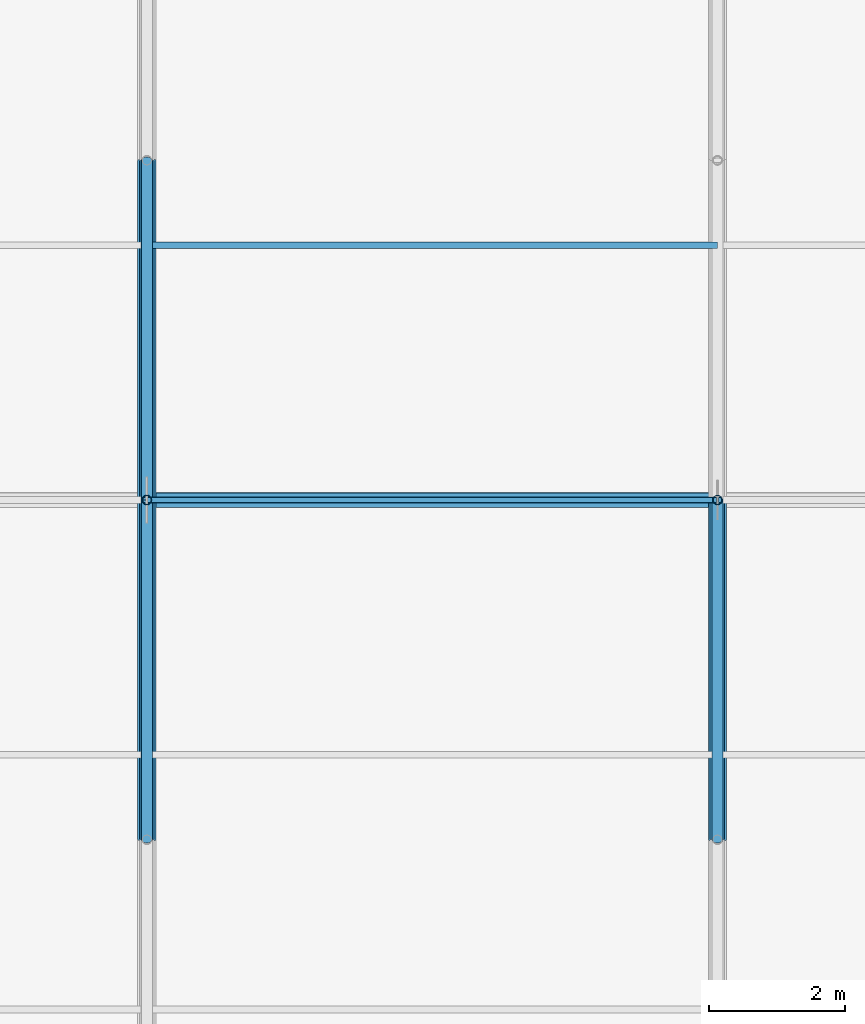
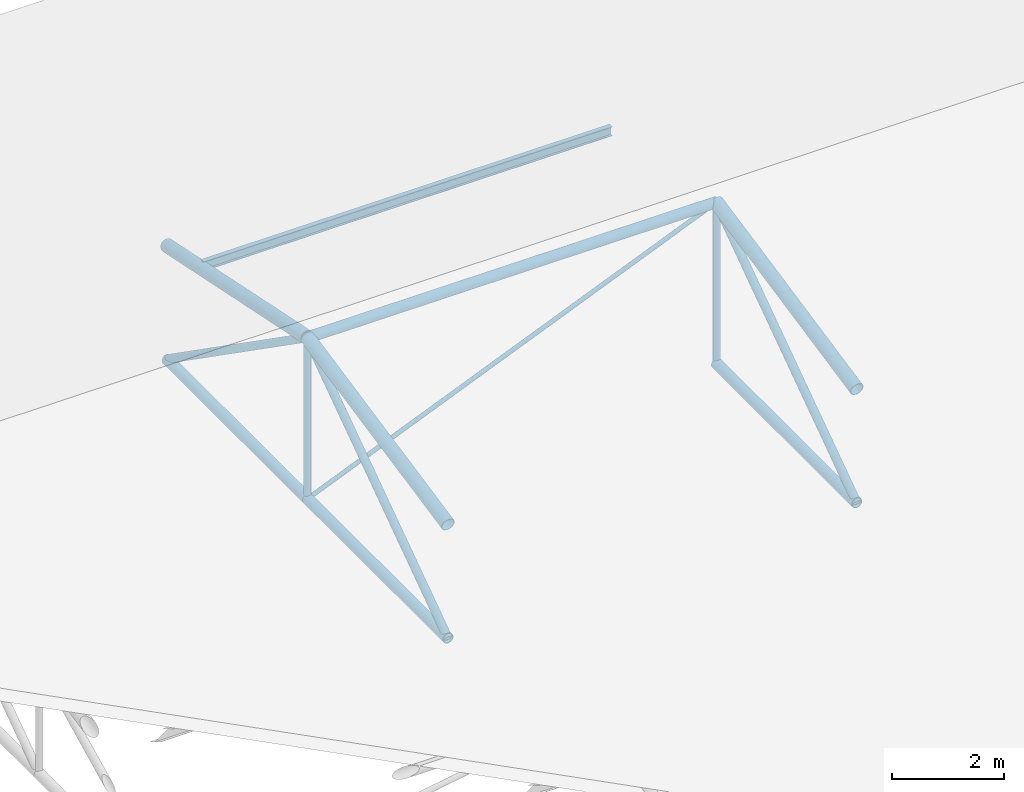
# One storey, part 109 of 194: 13 members, 1 beam.
"""IFC4 building model written with IfcOpenShell, lengths in metres."""

from ifc_helpers import new_model, si_unit, direction, frame, origin, origin_2d, place, context, subcontext, project, spatial, hollow_circle, i_section, extrude, material, material_profile, profile_set, type_object, element, save


model = new_model("IFC4")

# Units and contexts
model_context = context("Model", 3, precision=1e-05, world=origin(), true_north=direction((0.0, 1.0)))
body_context = subcontext(model_context, "Body", "Model", "MODEL_VIEW")
ifc_project = project(units=[si_unit("LENGTHUNIT", "METRE"), si_unit("AREAUNIT", "SQUARE_METRE"), si_unit("VOLUMEUNIT", "CUBIC_METRE"), si_unit("PLANEANGLEUNIT", "RADIAN"), si_unit("MASSUNIT", "GRAM", prefix="KILO")], contexts=[model_context])

# Site, building, storey
site_placement = place(None, origin())
site = spatial("IfcSite", under=ifc_project, at=site_placement, CompositionType="ELEMENT")
building_placement = place(site_placement, origin())
building = spatial("IfcBuilding", under=site, at=building_placement, Name="Kazenagashi Tramway Depot", CompositionType="ELEMENT")
storey_placement = place(building_placement, frame((0.0, 0.0, 23.7)))
storey = spatial("IfcBuildingStorey", under=building, at=storey_placement, Name="ROOF", CompositionType="ELEMENT", Elevation=23.7)

# Beam
ifc_material_1 = material(Name="Steel SN400B", Category="steel")
ifc_material_profile_1 = material_profile(ifc_material_1, i_section(OverallWidth=0.1, OverallDepth=0.2, WebThickness=0.0055, FlangeThickness=0.008, at=origin_2d()), Name="H-200x100x5.5x8")
ifc_profile_set_1 = profile_set([ifc_material_profile_1], Name="Steel SN400B")
beam_type = type_object("IfcBeamType", Name="PR-01", PredefinedType="USERDEFINED", material=ifc_profile_set_1)
beam_placement = place(storey_placement, frame((179.2, 118.75, -11.305), z_axis=(1.0, 0.0, 0.0), x_axis=(0.0, 1.0, 0.0)))
element("IfcBeam", 1, at=beam_placement, inside=storey, type_object=beam_type, Name="Beam PR-01 BM-2196", ObjectType="PURLIN", PredefinedType="USERDEFINED", context=body_context, shape_type="SweptSolid", body=[
    extrude(i_section(OverallWidth=0.1, OverallDepth=0.2, WebThickness=0.0055, FlangeThickness=0.008, at=origin_2d()), origin(), (0.0, 0.0, 1.0), 8.4),
])

# Members
ifc_material_2 = material(Name="Steel STK490", Category="steel")
ifc_material_profile_2 = material_profile(ifc_material_2, hollow_circle(Radius=0.1337, WallThickness=0.0093, at=origin_2d()), Name="CHS-267.4x9.3")
ifc_profile_set_2 = profile_set([ifc_material_profile_2], Name="Steel STK490")
member_type_1 = type_object("IfcMemberType", Name="TC-01", PredefinedType="CHORD", material=ifc_profile_set_2)
for number, where, z_axis, x_axis, name in (
    (2, (179.2, 110.0, -11.633), (0.0, 0.979317999984, 0.202327098797), (-1.0, 0.0, 0.0), "Tubular Space Frame TC-01 MEM-1014"),
    (3, (179.2, 115.0, -10.6), (0.0, 0.979317999984, -0.202327098797), (-1.0, 0.0, 0.0), "Tubular Space Frame TC-01 MEM-1017"),
    (4, (187.6, 110.0, -11.633), (0.0, 0.979317999984, 0.202327098797), (-1.0, 0.0, 0.0), "Tubular Space Frame TC-01 MEM-1075"),
):
    element("IfcMember", number, at=place(storey_placement, frame(where, z_axis=z_axis, x_axis=x_axis)), inside=storey, type_object=member_type_1, Name=name, PredefinedType="CHORD", context=body_context, shape_type="SweptSolid", body=[
        extrude(hollow_circle(Radius=0.1337, WallThickness=0.0093, at=origin_2d()), origin(), (0.0, 0.0, 1.0), 5.105594),
    ])
ifc_material_profile_3 = material_profile(ifc_material_2, hollow_circle(Radius=0.10815, WallThickness=0.0082, at=origin_2d()), Name="CHS-216.3x8.2")
ifc_profile_set_3 = profile_set([ifc_material_profile_3], Name="Steel STK490")
member_type_2 = type_object("IfcMemberType", Name="TC-02", PredefinedType="CHORD", material=ifc_profile_set_3)
for number, where, z_axis, x_axis, name in (
    (5, (179.2, 110.0, -14.1), (0.0, 1.0, 0.0), (-1.0, 0.0, 0.0), "Tubular Space Frame TC-02 MEM-1015"),
    (6, (179.2, 115.0, -14.1), (0.0, 1.0, 0.0), (-1.0, 0.0, 0.0), "Tubular Space Frame TC-02 MEM-1018"),
):
    element("IfcMember", number, at=place(storey_placement, frame(where, z_axis=z_axis, x_axis=x_axis)), inside=storey, type_object=member_type_2, Name=name, PredefinedType="CHORD", context=body_context, shape_type="SweptSolid", body=[
        extrude(hollow_circle(Radius=0.10815, WallThickness=0.0082, at=origin_2d()), origin(), (0.0, 0.0, 1.0), 5.0),
    ])
member_1_placement = place(storey_placement, frame((179.2, 115.0, -10.6), z_axis=(1.0, 0.0, 0.0), x_axis=(0.0, 1.0, 0.0)))
element("IfcMember", 7, at=member_1_placement, inside=storey, type_object=member_type_2, Name="Tubular Space Frame TC-02 MEM-1034", PredefinedType="CHORD", context=body_context, shape_type="SweptSolid", body=[
    extrude(hollow_circle(Radius=0.10815, WallThickness=0.0082, at=origin_2d()), origin(), (0.0, 0.0, 1.0), 8.4),
])
member_2_placement = place(storey_placement, frame((187.6, 110.0, -14.1), z_axis=(0.0, 1.0, 0.0), x_axis=(-1.0, 0.0, 0.0)))
element("IfcMember", 8, at=member_2_placement, inside=storey, type_object=member_type_2, Name="Tubular Space Frame TC-02 MEM-1076", PredefinedType="CHORD", context=body_context, shape_type="SweptSolid", body=[
    extrude(hollow_circle(Radius=0.10815, WallThickness=0.0082, at=origin_2d()), origin(), (0.0, 0.0, 1.0), 5.0),
])
ifc_material_profile_4 = material_profile(ifc_material_2, hollow_circle(Radius=0.0826, WallThickness=0.0071, at=origin_2d()), Name="CHS-165.2x7.1")
ifc_profile_set_4 = profile_set([ifc_material_profile_4], Name="Steel STK490")
member_type_3 = type_object("IfcMemberType", Name="TS-01", PredefinedType="STRUT", material=ifc_profile_set_4)
for number, where, z_axis, x_axis, name in (
    (9, (179.2, 110.0, -14.1), (0.0, 0.819231920519, 0.573462344363), (-1.0, 0.0, 0.0), "Tubular Space Frame TS-01 MEM-1016"),
    (10, (179.2, 115.0, -10.6), (0.0, 0.819231920519, -0.573462344363), (-1.0, 0.0, 0.0), "Tubular Space Frame TS-01 MEM-1019"),
    (11, (187.6, 110.0, -14.1), (0.0, 0.819231920519, 0.573462344363), (-1.0, 0.0, 0.0), "Tubular Space Frame TS-01 MEM-1077"),
):
    element("IfcMember", number, at=place(storey_placement, frame(where, z_axis=z_axis, x_axis=x_axis)), inside=storey, type_object=member_type_3, Name=name, PredefinedType="STRUT", context=body_context, shape_type="SweptSolid", body=[
        extrude(hollow_circle(Radius=0.0826, WallThickness=0.0071, at=origin_2d()), origin(), (0.0, 0.0, 1.0), 6.103278),
    ])
ifc_material_profile_5 = material_profile(ifc_material_2, hollow_circle(Radius=0.0699, WallThickness=0.0066, at=origin_2d()), Name="CHS-139.8x6.6")
ifc_profile_set_5 = profile_set([ifc_material_profile_5], Name="Steel STK490")
member_type_4 = type_object("IfcMemberType", Name="TS-02", PredefinedType="STRUT", material=ifc_profile_set_5)
for number, where, z_axis, x_axis, name in (
    (12, (179.2, 115.0, -14.1), (0.0, 0.0, 1.0), (1.0, 0.0, 0.0), "Tubular Space Frame TS-02 MEM-1028"),
    (13, (187.6, 115.0, -14.1), (0.0, 0.0, 1.0), (1.0, 0.0, 0.0), "Tubular Space Frame TS-02 MEM-1089"),
):
    element("IfcMember", number, at=place(storey_placement, frame(where, z_axis=z_axis, x_axis=x_axis)), inside=storey, type_object=member_type_4, Name=name, PredefinedType="STRUT", context=body_context, shape_type="SweptSolid", body=[
        extrude(hollow_circle(Radius=0.0699, WallThickness=0.0066, at=origin_2d()), origin(), (0.0, 0.0, 1.0), 3.5),
    ])
ifc_material_3 = material(Name="Steel STK400", Category="steel")
ifc_material_profile_6 = material_profile(ifc_material_3, hollow_circle(Radius=0.04455, WallThickness=0.0042, at=origin_2d()), Name="CHS-89.1x4.2")
ifc_profile_set_6 = profile_set([ifc_material_profile_6], Name="Steel STK400")
member_type_5 = type_object("IfcMemberType", Name="TS-04", PredefinedType="STRUT", material=ifc_profile_set_6)
member_3_placement = place(storey_placement, frame((179.2, 115.0, -14.1), z_axis=(0.923076923077, 0.0, 0.384615384615), x_axis=(0.0, 1.0, 0.0)))
element("IfcMember", 14, at=member_3_placement, inside=storey, type_object=member_type_5, Name="Tubular Space Frame TS-04 MEM-1035", PredefinedType="STRUT", context=body_context, shape_type="SweptSolid", body=[
    extrude(hollow_circle(Radius=0.04455, WallThickness=0.0042, at=origin_2d()), origin(), (0.0, 0.0, 1.0), 9.1),
])

save(model, "model.ifc")
